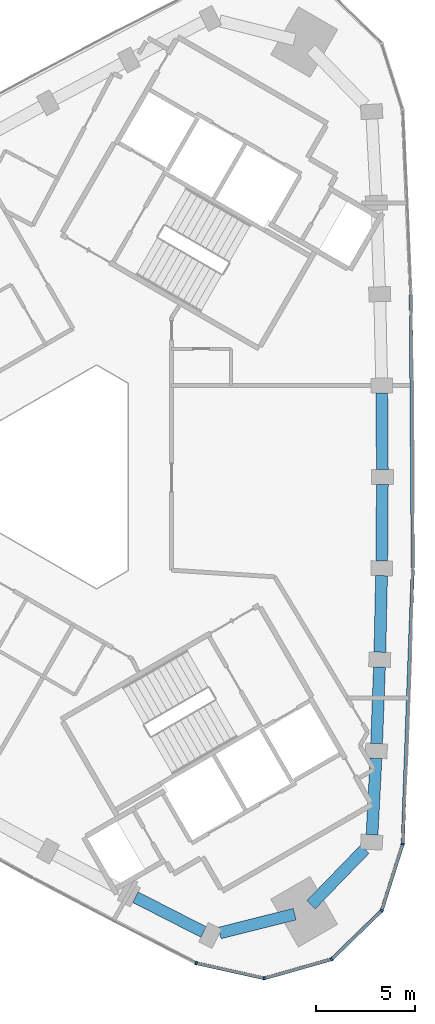
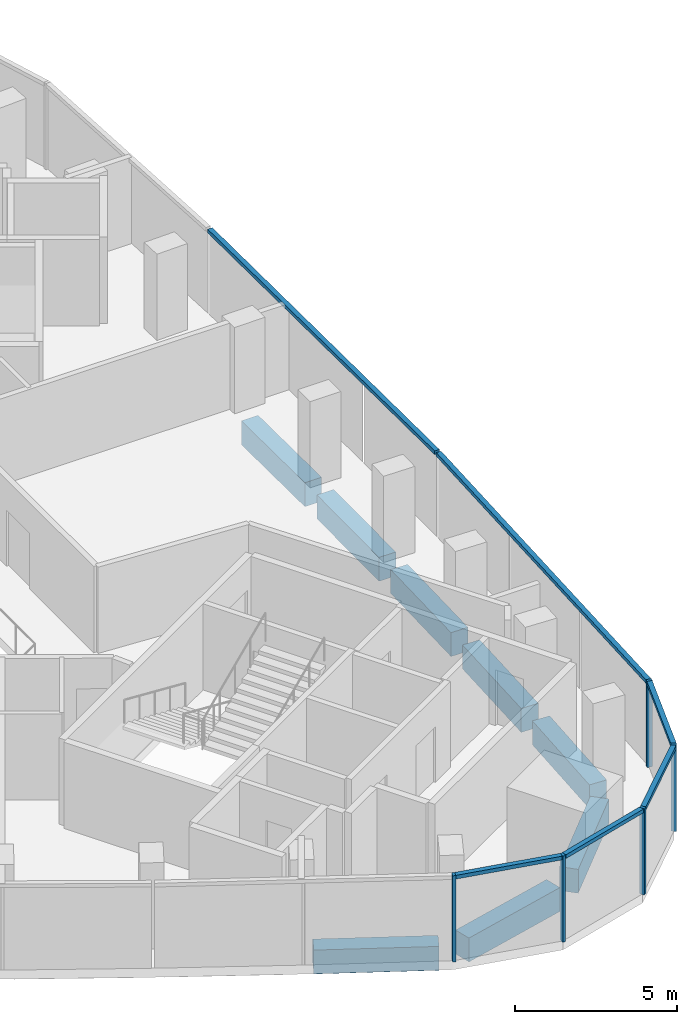
# One storey, part 3 of 11: 11 members, 8 beams, 2 elements without a shape of their own.
"""IFC4 building model written with IfcOpenShell, lengths in metres."""

from ifc_helpers import new_model, si_unit, direction, frame, origin, origin_2d, place, context, subcontext, project, spatial, rectangle, extrude, material, material_profile, profile_set, type_object, element, aggregate, save


model = new_model("IFC4")

# Units and contexts
model_context = context("Model", 3, precision=1e-05, world=origin(), true_north=direction((0.0, 1.0)))
body_context = subcontext(model_context, "Body", "Model", "MODEL_VIEW")
ifc_project = project(units=[si_unit("LENGTHUNIT", "METRE"), si_unit("AREAUNIT", "SQUARE_METRE"), si_unit("VOLUMEUNIT", "CUBIC_METRE"), si_unit("PLANEANGLEUNIT", "RADIAN"), si_unit("MASSUNIT", "GRAM", prefix="KILO")], contexts=[model_context])

# Site, building, storey
site_placement = place(None, origin())
site = spatial("IfcSite", under=ifc_project, at=site_placement, CompositionType="ELEMENT")
building_placement = place(site_placement, origin())
building = spatial("IfcBuilding", under=site, at=building_placement, Name="Tamra Quay Hotel Tower", CompositionType="ELEMENT")
storey_placement = place(building_placement, frame((0.0, 0.0, 225.0)))
storey = spatial("IfcBuildingStorey", under=building, at=storey_placement, Name="L56", CompositionType="ELEMENT", Elevation=225.0)

# Curtain wall, member
ifc_material_1 = material(Name="Aluminium 6063 anodised dark grey", Category="aluminium")
curtain_wall_type_1 = type_object("IfcCurtainWallType", Name="CW1 CURTAIN WALL", PredefinedType="NOTDEFINED", material=ifc_material_1)
curtain_wall_1_placement = place(storey_placement, origin())
curtain_wall_1 = element("IfcCurtainWall", 1, at=curtain_wall_1_placement, inside=storey, type_object=curtain_wall_type_1, Name="CW1 east face L56", PredefinedType="NOTDEFINED")
ifc_material_profile_1 = material_profile(ifc_material_1, rectangle(XDim=0.169921875, YDim=0.10009765625, at=origin_2d()), Name="MULLION 100X170")
ifc_profile_set_1 = profile_set([ifc_material_profile_1], Name="Aluminium 6063 anodised dark grey")
member_type_1 = type_object("IfcMemberType", Name="MULLION CW1 Z5", PredefinedType="MULLION", material=ifc_profile_set_1)
member_1_placement = place(storey_placement, frame((17.69677734375, -18.5830078125, 0.0), z_axis=(0.0, 0.0, 1.0), x_axis=(0.984105321789, -0.177585797933, 0.0)))
member_1 = element("IfcMember", 2, at=member_1_placement, type_object=member_type_1, Name="CW1 mullion L56.E.1", PredefinedType="MULLION", context=body_context, shape_type="SweptSolid", body=[
    extrude(rectangle(XDim=0.169921875, YDim=0.10009765625, at=origin_2d()), origin(), (0.0, 0.0, 1.0), 3.25),
])

# Curtain wall, members
curtain_wall_type_2 = type_object("IfcCurtainWallType", Name="CW3 CURTAIN WALL", PredefinedType="NOTDEFINED", material=ifc_material_1)
curtain_wall_2_placement = place(storey_placement, origin())
curtain_wall_2 = element("IfcCurtainWall", 3, at=curtain_wall_2_placement, inside=storey, type_object=curtain_wall_type_2, Name="CW3 south-west face L56", PredefinedType="NOTDEFINED")
ifc_material_profile_2 = material_profile(ifc_material_1, rectangle(XDim=0.169921875, YDim=0.10009765625, at=origin_2d()), Name="MULLION 100X170")
ifc_profile_set_2 = profile_set([ifc_material_profile_2], Name="Aluminium 6063 anodised dark grey")
member_type_2 = type_object("IfcMemberType", Name="MULLION CW3 Z5", PredefinedType="MULLION", material=ifc_profile_set_2)
member_2_placement = place(storey_placement, frame((7.244873046875, -24.617431640625, 0.0), z_axis=(0.0, 0.0, 1.0), x_axis=(-0.338258848533, -0.941053107635, 0.0)))
member_2 = element("IfcMember", 4, at=member_2_placement, type_object=member_type_2, Name="CW3 mullion L56.SW.9", PredefinedType="MULLION", context=body_context, shape_type="SweptSolid", body=[
    extrude(rectangle(XDim=0.169921875, YDim=0.10009765625, at=origin_2d()), origin(), (0.0, 0.0, 1.0), 3.25),
])
member_3_placement = place(storey_placement, frame((10.6962890625, -25.3818359375, 0.0), z_axis=(0.0, 0.0, 1.0), x_axis=(0.029222506575, -0.999572931361, 0.0)))
member_3 = element("IfcMember", 5, at=member_3_placement, type_object=member_type_2, Name="CW3 mullion L56.SW.10", PredefinedType="MULLION", context=body_context, shape_type="SweptSolid", body=[
    extrude(rectangle(XDim=0.169921875, YDim=0.10009765625, at=origin_2d()), origin(), (0.0, 0.0, 1.0), 3.25),
])
member_4_placement = place(storey_placement, frame((14.09716796875, -24.4169921875, 0.0), z_axis=(0.0, 0.0, 1.0), x_axis=(0.5, -0.866025403784, 0.0)))
member_4 = element("IfcMember", 6, at=member_4_placement, type_object=member_type_2, Name="CW3 mullion L56.SW.11", PredefinedType="MULLION", context=body_context, shape_type="SweptSolid", body=[
    extrude(rectangle(XDim=0.169921875, YDim=0.10009765625, at=origin_2d()), origin(), (0.0, 0.0, 1.0), 3.25),
])
member_5_placement = place(storey_placement, frame((16.633056640625, -21.9541015625, 0.0), z_axis=(0.0, 0.0, 1.0), x_axis=(0.851044298206, -0.525093898736, 0.0)))
member_5 = element("IfcMember", 7, at=member_5_placement, type_object=member_type_2, Name="CW3 mullion L56.SW.12", PredefinedType="MULLION", context=body_context, shape_type="SweptSolid", body=[
    extrude(rectangle(XDim=0.169921875, YDim=0.10009765625, at=origin_2d()), origin(), (0.0, 0.0, 1.0), 3.25),
])

# Beams
ifc_material_2 = material(Name="Concrete M60", Category="concrete")
ifc_material_profile_3 = material_profile(ifc_material_2, rectangle(XDim=0.60009765625, YDim=0.89990234375, at=origin_2d()), Name="SPANDREL BEAM RC 600x900")
ifc_profile_set_3 = profile_set([ifc_material_profile_3], Name="Concrete M60")
beam_type = type_object("IfcBeamType", Name="SPANDREL BEAM RC 600x900", PredefinedType="SPANDREL", material=ifc_profile_set_3)
beam_1_placement = place(storey_placement, frame((16.144775390625, -18.116455078125, -0.800048828125), z_axis=(0.051404854824, 0.998677896471, 0.0), x_axis=(-0.998677896471, 0.051404854824, 0.0)))
element("IfcBeam", 8, at=beam_1_placement, inside=storey, type_object=beam_type, Name="BM-SP5-000-L56", PredefinedType="SPANDREL", context=body_context, shape_type="SweptSolid", body=[
    extrude(rectangle(XDim=0.60009765625, YDim=0.89990234375, at=origin_2d()), origin(), (0.0, 0.0, 1.0), 3.87548828125),
])
beam_2_placement = place(storey_placement, frame((16.377197265625, -13.496826171875, -0.800048828125), z_axis=(0.036732019634, 0.999325151657, 0.0), x_axis=(-0.999325151657, 0.036732019634, 0.0)))
element("IfcBeam", 9, at=beam_2_placement, inside=storey, type_object=beam_type, Name="BM-SP5-001-L56", PredefinedType="SPANDREL", context=body_context, shape_type="SweptSolid", body=[
    extrude(rectangle(XDim=0.60009765625, YDim=0.89990234375, at=origin_2d()), origin(), (0.0, 0.0, 1.0), 3.875),
])
beam_3_placement = place(storey_placement, frame((16.54150390625, -8.874755859375, -0.800048828125), z_axis=(0.022047440235, 0.999756925647, 0.0), x_axis=(-0.999756925647, 0.022047440235, 0.0)))
element("IfcBeam", 10, at=beam_3_placement, inside=storey, type_object=beam_type, Name="BM-SP5-002-L56", PredefinedType="SPANDREL", context=body_context, shape_type="SweptSolid", body=[
    extrude(rectangle(XDim=0.60009765625, YDim=0.89990234375, at=origin_2d()), origin(), (0.0, 0.0, 1.0), 3.875732421875),
])
for number, where, z_axis, x_axis, name in (
    (11, (16.63818359375, -4.25, -0.800048828125), (0.007308272564, 0.999973294219, 0.0), (-0.999973294219, 0.007308272564, 0.0), "BM-SP5-003-L56"),
    (12, (16.66650390625, 0.375, -0.800048828125), (-0.007308272564, 0.999973294219, 0.0), (-0.999973294219, -0.007308272564, 0.0), "BM-SP5-004-L56"),
):
    element("IfcBeam", number, at=place(storey_placement, frame(where, z_axis=z_axis, x_axis=x_axis)), inside=storey, type_object=beam_type, Name=name, PredefinedType="SPANDREL", context=body_context, shape_type="SweptSolid", body=[
        extrude(rectangle(XDim=0.60009765625, YDim=0.89990234375, at=origin_2d()), origin(), (0.0, 0.0, 1.0), 3.875),
    ])
beam_4_placement = place(storey_placement, frame((4.16552734375, -21.277587890625, -0.800048828125), z_axis=(0.890602550436, -0.454782472349, 0.0), x_axis=(0.454782472349, 0.890602550436, 0.0)))
element("IfcBeam", 13, at=beam_4_placement, inside=storey, type_object=beam_type, Name="BM-SP5-027-L56", PredefinedType="SPANDREL", context=body_context, shape_type="SweptSolid", body=[
    extrude(rectangle(XDim=0.60009765625, YDim=0.89990234375, at=origin_2d()), origin(), (0.0, 0.0, 1.0), 3.87548828125),
])
beam_5_placement = place(storey_placement, frame((8.430908203125, -23.090087890625, -0.800048828125), z_axis=(0.969848171666, 0.243709917558, 0.0), x_axis=(-0.243709917558, 0.969848171666, 0.0)))
element("IfcBeam", 14, at=beam_5_placement, inside=storey, type_object=beam_type, Name="BM-SP5-028-L56", PredefinedType="SPANDREL", context=body_context, shape_type="SweptSolid", body=[
    extrude(rectangle(XDim=0.60009765625, YDim=0.89990234375, at=origin_2d()), origin(), (0.0, 0.0, 1.0), 3.912841796875),
])
beam_6_placement = place(storey_placement, frame((13.05810546875, -21.656005859375, -0.800048828125), z_axis=(0.69594408001, 0.718095980701, 0.0), x_axis=(-0.718095980701, 0.69594408001, 0.0)))
element("IfcBeam", 15, at=beam_6_placement, inside=storey, type_object=beam_type, Name="BM-SP5-029-L56", PredefinedType="SPANDREL", context=body_context, shape_type="SweptSolid", body=[
    extrude(rectangle(XDim=0.60009765625, YDim=0.89990234375, at=origin_2d()), origin(), (0.0, 0.0, 1.0), 3.91259765625),
])

# Member
ifc_material_profile_4 = material_profile(ifc_material_1, rectangle(XDim=0.169921875, YDim=0.139892578125, at=origin_2d()), Name="TRANSOM 170X140")
ifc_profile_set_4 = profile_set([ifc_material_profile_4], Name="Aluminium 6063 anodised dark grey")
member_type_3 = type_object("IfcMemberType", Name="TRANSOM CW1 Z5", PredefinedType="USERDEFINED", material=ifc_profile_set_4)
member_6_placement = place(storey_placement, frame((17.699462890625, -18.532958984375, 3.179931640625), z_axis=(0.03673444579, 0.999325062476, 0.0), x_axis=(-0.999325062476, 0.03673444579, 0.0)))
member_6 = element("IfcMember", 16, at=member_6_placement, type_object=member_type_3, Name="CW1 transom L56.E.1", ObjectType="TRANSOM", PredefinedType="USERDEFINED", context=body_context, shape_type="SweptSolid", body=[
    extrude(rectangle(XDim=0.169921875, YDim=0.139892578125, at=origin_2d()), origin(), (0.0, 0.0, 1.0), 13.84375),
])

member_7_placement = place(storey_placement, frame((18.20947265625, -4.5986328125, 3.179931640625), z_axis=(-0.00735365003, 0.99997296155, 0.0), x_axis=(-0.99997296155, -0.00735365003, 0.0)))
member_7 = element("IfcMember", 17, at=member_7_placement, type_object=member_type_3, Name="CW1 transom L56.E.4", ObjectType="TRANSOM", PredefinedType="USERDEFINED", context=body_context, shape_type="SweptSolid", body=[
    extrude(rectangle(XDim=0.169921875, YDim=0.139892578125, at=origin_2d()), origin(), (0.0, 0.0, 1.0), 13.844482421875),
])

aggregate(curtain_wall_1, [member_1, member_6, member_7])

ifc_material_profile_5 = material_profile(ifc_material_1, rectangle(XDim=0.169921875, YDim=0.139892578125, at=origin_2d()), Name="TRANSOM 170X140")
ifc_profile_set_5 = profile_set([ifc_material_profile_5], Name="Aluminium 6063 anodised dark grey")
member_type_4 = type_object("IfcMemberType", Name="TRANSOM CW3 Z5", PredefinedType="USERDEFINED", material=ifc_profile_set_5)
member_8_placement = place(storey_placement, frame((7.293701171875, -24.628173828125, 3.179931640625), z_axis=(0.976332331622, -0.21627569958, 0.0), x_axis=(0.21627569958, 0.976332331622, 0.0)))
member_8 = element("IfcMember", 18, at=member_8_placement, type_object=member_type_4, Name="CW3 transom L56.SW.9", ObjectType="TRANSOM", PredefinedType="USERDEFINED", context=body_context, shape_type="SweptSolid", body=[
    extrude(rectangle(XDim=0.169921875, YDim=0.139892578125, at=origin_2d()), origin(), (0.0, 0.0, 1.0), 3.43505859375),
])

member_9_placement = place(storey_placement, frame((10.744384765625, -25.3681640625, 3.179931640625), z_axis=(0.962037198813, 0.272918354273, 0.0), x_axis=(-0.272918354273, 0.962037198813, 0.0)))
member_9 = element("IfcMember", 19, at=member_9_placement, type_object=member_type_4, Name="CW3 transom L56.SW.10", ObjectType="TRANSOM", PredefinedType="USERDEFINED", context=body_context, shape_type="SweptSolid", body=[
    extrude(rectangle(XDim=0.169921875, YDim=0.139892578125, at=origin_2d()), origin(), (0.0, 0.0, 1.0), 3.43505859375),
])

member_10_placement = place(storey_placement, frame((14.133056640625, -24.38232421875, 3.179931640625), z_axis=(0.717337227603, 0.696726131199, 0.0), x_axis=(-0.696726131199, 0.717337227603, 0.0)))
member_10 = element("IfcMember", 20, at=member_10_placement, type_object=member_type_4, Name="CW3 transom L56.SW.11", ObjectType="TRANSOM", PredefinedType="USERDEFINED", context=body_context, shape_type="SweptSolid", body=[
    extrude(rectangle(XDim=0.169921875, YDim=0.139892578125, at=origin_2d()), origin(), (0.0, 0.0, 1.0), 3.43505859375),
])

member_11_placement = place(storey_placement, frame((16.648193359375, -21.906494140625, 3.179931640625), z_axis=(0.30092047073, 0.953649238607, 0.0), x_axis=(-0.953649238607, 0.30092047073, 0.0)))
member_11 = element("IfcMember", 21, at=member_11_placement, type_object=member_type_4, Name="CW3 transom L56.SW.12", ObjectType="TRANSOM", PredefinedType="USERDEFINED", context=body_context, shape_type="SweptSolid", body=[
    extrude(rectangle(XDim=0.169921875, YDim=0.139892578125, at=origin_2d()), origin(), (0.0, 0.0, 1.0), 3.43505859375),
])

aggregate(curtain_wall_2, [member_2, member_8, member_3, member_9, member_4, member_10, member_5, member_11])

save(model, "model.ifc")
